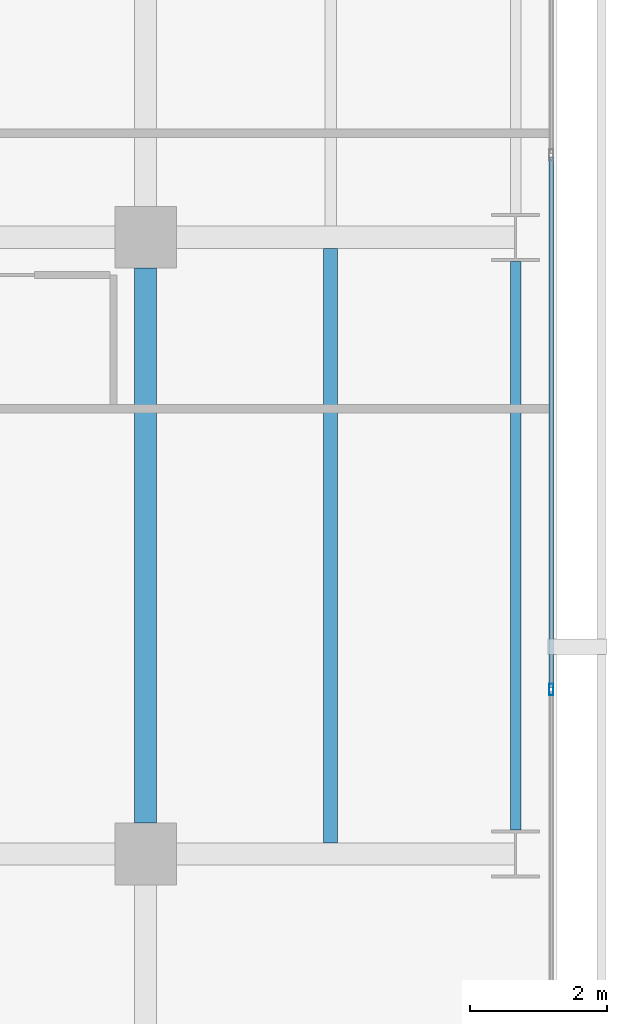
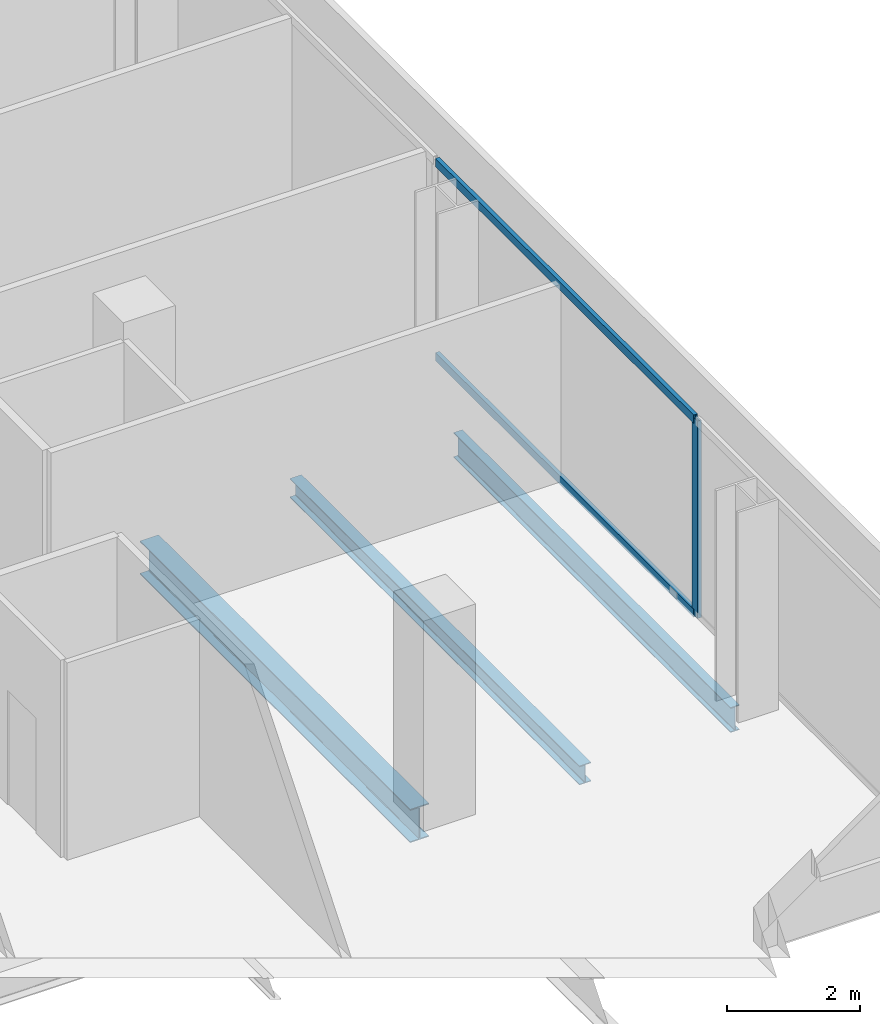
# One storey, part 17 of 41: 3 beams, 3 members, 1 element without a shape of its own.
"""IFC4 building model written with IfcOpenShell, lengths in metres."""

from ifc_helpers import new_model, si_unit, direction, frame, origin, origin_2d, place, context, subcontext, project, spatial, hollow_rectangle, i_section, extrude, material, layer, layer_set, material_profile, profile_set, type_object, element, aggregate, save


model = new_model("IFC4")

# Units and contexts
model_context = context("Model", 3, precision=1e-05, world=origin(), true_north=direction((0.0, 1.0)))
body_context = subcontext(model_context, "Body", "Model", "MODEL_VIEW")
ifc_project = project(units=[si_unit("LENGTHUNIT", "METRE"), si_unit("AREAUNIT", "SQUARE_METRE"), si_unit("VOLUMEUNIT", "CUBIC_METRE"), si_unit("PLANEANGLEUNIT", "RADIAN"), si_unit("MASSUNIT", "GRAM", prefix="KILO")], contexts=[model_context])

# Site, building, storey
site_placement = place(None, origin())
site = spatial("IfcSite", under=ifc_project, at=site_placement, CompositionType="ELEMENT")
building_placement = place(site_placement, origin())
building = spatial("IfcBuilding", under=site, at=building_placement, Name="Maruvema Waterfront Hotel and Observation Tower", CompositionType="ELEMENT")
storey_placement = place(building_placement, frame((0.0, 0.0, 84.699951171875)))
storey = spatial("IfcBuildingStorey", under=building, at=storey_placement, Name="L20", CompositionType="ELEMENT", Elevation=84.699951171875)

# Curtain wall, members
ifc_material_1 = material(Name="Anodised bronze aluminium and solar-control low-E IGU", Category="aluminium")
ifc_layer = layer(ifc_material_1, 0.159912109375, Name="Zone 1 Bronze Inner Thermal Curtain Wall System CW-02")
ifc_layer_set = layer_set([ifc_layer], Name="Anodised bronze aluminium and solar-control low-E IGU")
curtain_wall_type = type_object("IfcCurtainWallType", Name="Zone 1 Bronze Inner Thermal Curtain Wall System CW-02", PredefinedType="USERDEFINED", material=ifc_layer_set)
curtain_wall_placement = place(storey_placement, origin())
curtain_wall = element("IfcCurtainWall", 1, at=curtain_wall_placement, inside=storey, type_object=curtain_wall_type, Name="L20 Curtain Wall CW-L20-E", ObjectType="UNITISED CURTAIN WALL", PredefinedType="USERDEFINED")
ifc_material_2 = material(Name="Anodised architectural bronze aluminium", Category="aluminium")
ifc_material_profile_1 = material_profile(ifc_material_2, hollow_rectangle(XDim=0.070068359375, YDim=0.14990234375, WallThickness=0.00390625, at=origin_2d()), Name="ALU-T70x150")
ifc_profile_set_1 = profile_set([ifc_material_profile_1], Name="Anodised architectural bronze aluminium")
member_type_1 = type_object("IfcMemberType", Name="Curtain Wall Horizontal Transom ALU-T70x150", PredefinedType="USERDEFINED", material=ifc_profile_set_1)
member_1_placement = place(storey_placement, frame((64.719970703125, 11.429931640625, 0.030029296875), z_axis=(0.0, 1.0, 0.0), x_axis=(-1.0, 0.0, 0.0)))
member_1 = element("IfcMember", 2, at=member_1_placement, type_object=member_type_1, Name="CW-02 transom 2.1", ObjectType="TRANSOM", PredefinedType="USERDEFINED", context=body_context, shape_type="SweptSolid", body=[
    extrude(hollow_rectangle(XDim=0.070068359375, YDim=0.14990234375, WallThickness=0.00390625, at=origin_2d()), origin(), (0.0, 0.0, 1.0), 7.739990234375),
])
member_2_placement = place(storey_placement, frame((64.719970703125, 11.429931640625, 3.580078125), z_axis=(0.0, 1.0, 0.0), x_axis=(-1.0, 0.0, 0.0)))
member_2 = element("IfcMember", 3, at=member_2_placement, type_object=member_type_1, Name="CW-02 transom 2.2", ObjectType="TRANSOM", PredefinedType="USERDEFINED", context=body_context, shape_type="SweptSolid", body=[
    extrude(hollow_rectangle(XDim=0.070068359375, YDim=0.14990234375, WallThickness=0.00390625, at=origin_2d()), origin(), (0.0, 0.0, 1.0), 7.739990234375),
])
ifc_material_3 = material(Name="Anodised architectural bronze aluminium", Category="aluminium")
ifc_material_profile_2 = material_profile(ifc_material_3, hollow_rectangle(XDim=0.06494140625, YDim=0.1650390625, WallThickness=0.00390625, at=origin_2d()), Name="ALU-M65x165")
ifc_profile_set_2 = profile_set([ifc_material_profile_2], Name="Anodised architectural bronze aluminium")
member_type_2 = type_object("IfcMemberType", Name="Curtain Wall Primary Mullion ALU-M65x165", PredefinedType="MULLION", material=ifc_profile_set_2)
member_3_placement = place(storey_placement, frame((64.719970703125, 11.39990234375, 0.0), z_axis=(0.0, 0.0, 1.0), x_axis=(-1.0, 0.0, 0.0)))
member_3 = element("IfcMember", 4, at=member_3_placement, type_object=member_type_2, Name="CW-02 mullion 2", PredefinedType="MULLION", context=body_context, shape_type="SweptSolid", body=[
    extrude(hollow_rectangle(XDim=0.06494140625, YDim=0.1650390625, WallThickness=0.00390625, at=origin_2d()), origin(), (0.0, 0.0, 1.0), 3.610107421875),
])
aggregate(curtain_wall, [member_3, member_1, member_2])

# Beams
ifc_material_4 = material(Name="Steel ASTM A572 Grade 50", Category="steel")
ifc_material_profile_3 = material_profile(ifc_material_4, i_section(OverallWidth=0.153076171875, OverallDepth=0.455078125, WebThickness=0.008056640625, FlangeThickness=0.01318359375, FilletRadius=0.014892578125, at=origin_2d()), Name="W460x60.0")
ifc_profile_set_3 = profile_set([ifc_material_profile_3], Name="Steel ASTM A572 Grade 50")
beam_type_1 = type_object("IfcBeamType", Name="Perimeter Spandrel Beam W460x60.0", PredefinedType="SPANDREL", material=ifc_profile_set_3)
beam_1_placement = place(storey_placement, frame((64.199951171875, 9.35009765625, -0.467529296875), z_axis=(0.0, 1.0, 0.0), x_axis=(-1.0, 0.0, 0.0)))
element("IfcBeam", 5, at=beam_1_placement, inside=storey, type_object=beam_type_1, Name="L20 Floor Girder NS-33", PredefinedType="SPANDREL", context=body_context, shape_type="SweptSolid", body=[
    extrude(i_section(OverallWidth=0.153076171875, OverallDepth=0.455078125, WebThickness=0.008056640625, FlangeThickness=0.01318359375, FilletRadius=0.014892578125, at=origin_2d()), origin(), (0.0, 0.0, 1.0), 8.2998046875),
])
ifc_material_5 = material(Name="Steel ASTM A572 Grade 50", Category="steel")
ifc_material_profile_4 = material_profile(ifc_material_5, i_section(OverallWidth=0.323974609375, OverallDepth=0.611083984375, WebThickness=0.0126953125, FlangeThickness=0.01904296875, FilletRadius=0.01806640625, at=origin_2d()), Name="W610x155.0")
ifc_profile_set_4 = profile_set([ifc_material_profile_4], Name="Steel ASTM A572 Grade 50")
beam_type_2 = type_object("IfcBeamType", Name="Primary Floor Girder W610x155.0", PredefinedType="BEAM", material=ifc_profile_set_4)
beam_2_placement = place(storey_placement, frame((58.800048828125, 9.449951171875, -0.54541015625), z_axis=(0.0, 1.0, 0.0), x_axis=(-1.0, 0.0, 0.0)))
element("IfcBeam", 6, at=beam_2_placement, inside=storey, type_object=beam_type_2, Name="L20 Floor Girder NS-28", PredefinedType="BEAM", context=body_context, shape_type="SweptSolid", body=[
    extrude(i_section(OverallWidth=0.323974609375, OverallDepth=0.611083984375, WebThickness=0.0126953125, FlangeThickness=0.01904296875, FilletRadius=0.01806640625, at=origin_2d()), origin(), (0.0, 0.0, 1.0), 8.10009765625),
])
ifc_material_6 = material(Name="Steel ASTM A572 Grade 50", Category="steel")
ifc_material_profile_5 = material_profile(ifc_material_6, i_section(OverallWidth=0.202880859375, OverallDepth=0.346923828125, WebThickness=0.0078125, FlangeThickness=0.013427734375, FilletRadius=0.014892578125, at=origin_2d()), Name="W360x64.0")
ifc_profile_set_5 = profile_set([ifc_material_profile_5], Name="Steel ASTM A572 Grade 50")
beam_type_3 = type_object("IfcBeamType", Name="Secondary Floor Joist W360x64.0", PredefinedType="JOIST", material=ifc_profile_set_5)
beam_3_placement = place(storey_placement, frame((61.5, 9.162109375, -0.413330078125), z_axis=(0.0, 1.0, 0.0), x_axis=(-1.0, 0.0, 0.0)))
element("IfcBeam", 7, at=beam_3_placement, inside=storey, type_object=beam_type_3, Name="L20 Secondary Floor Joist JS-21", PredefinedType="JOIST", context=body_context, shape_type="SweptSolid", body=[
    extrude(i_section(OverallWidth=0.202880859375, OverallDepth=0.346923828125, WebThickness=0.0078125, FlangeThickness=0.013427734375, FilletRadius=0.014892578125, at=origin_2d()), origin(), (0.0, 0.0, 1.0), 8.67578125),
])

save(model, "model.ifc")
